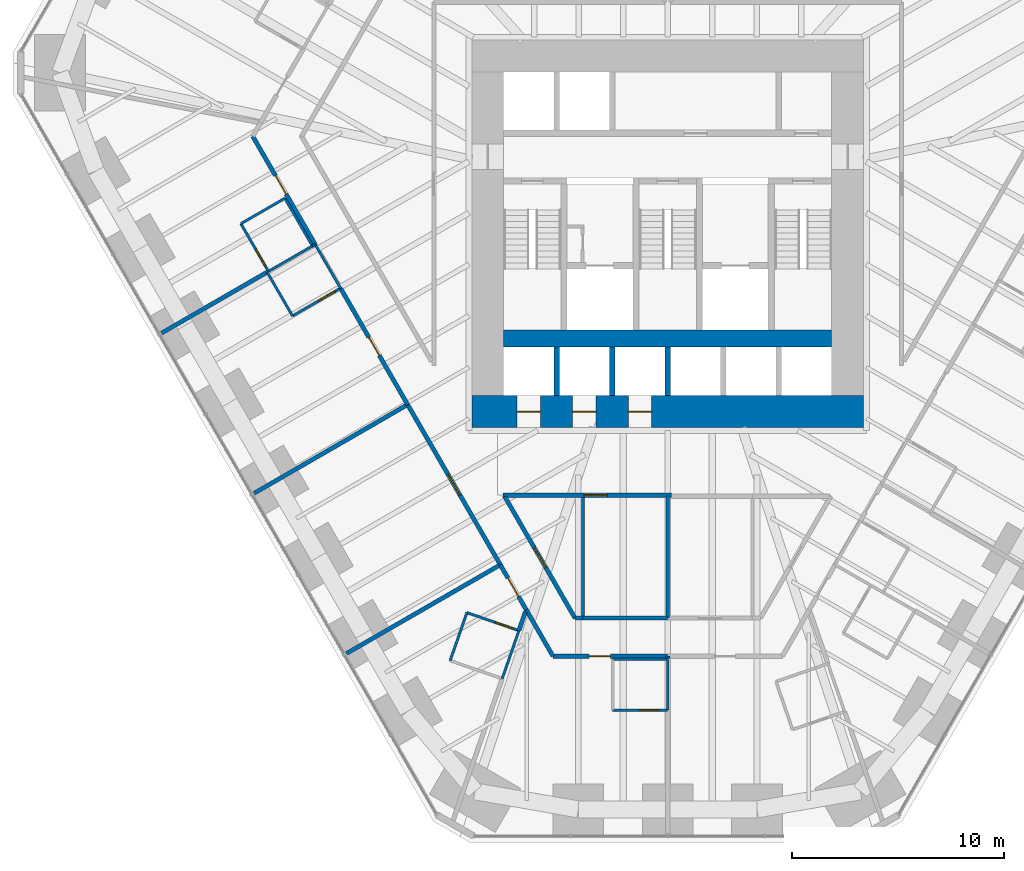
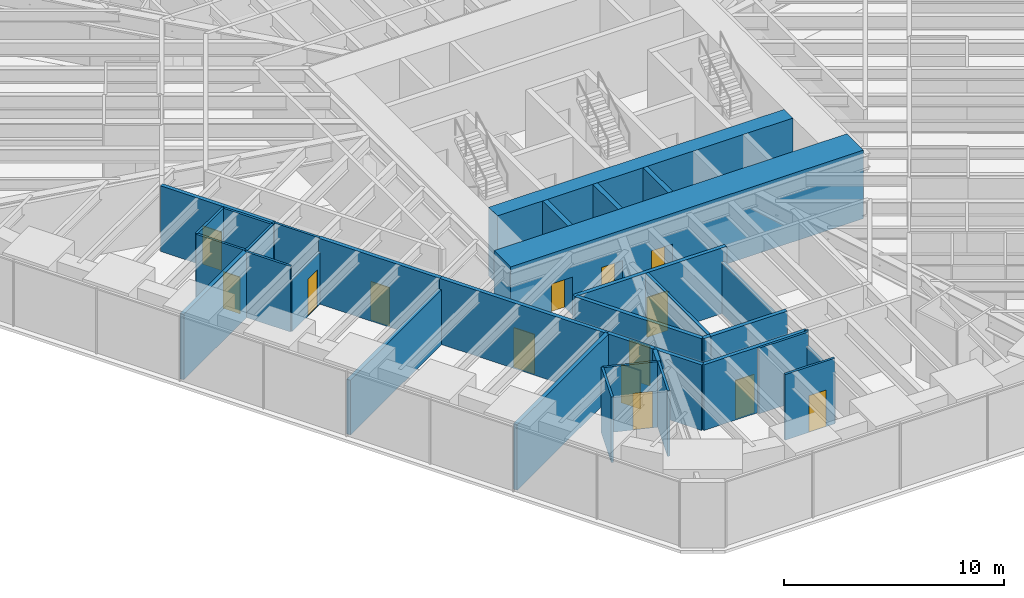
# One storey, part 11 of 17: 36 walls, 14 doors, 14 openings.
"""IFC4 building model written with IfcOpenShell, lengths in metres."""

from ifc_helpers import new_model, si_unit, direction, frame, frame_2d, origin, place, context, subcontext, project, spatial, rectangle, extrude, material, layer, layer_set, type_object, element, fill, save


model = new_model("IFC4")

# Units and contexts
model_context = context("Model", 3, precision=1e-05, world=origin(), true_north=direction((0.0, 1.0)))
body_context = subcontext(model_context, "Body", "Model", "MODEL_VIEW")
ifc_project = project(units=[si_unit("LENGTHUNIT", "METRE"), si_unit("AREAUNIT", "SQUARE_METRE"), si_unit("VOLUMEUNIT", "CUBIC_METRE"), si_unit("PLANEANGLEUNIT", "RADIAN"), si_unit("MASSUNIT", "GRAM", prefix="KILO")], contexts=[model_context])

# Site, building, storey
site_placement = place(None, origin())
site = spatial("IfcSite", under=ifc_project, at=site_placement, CompositionType="ELEMENT")
building_placement = place(site_placement, origin())
building = spatial("IfcBuilding", under=site, at=building_placement, Name="Sandreach Pilgrim Tower", CompositionType="ELEMENT")
storey_placement = place(building_placement, frame((0.0, 0.0, 34.39990234375)))
storey = spatial("IfcBuildingStorey", under=building, at=storey_placement, Name="L07", CompositionType="ELEMENT", Elevation=34.39990234375)

# Walls
ifc_material_1 = material(Name="Gypsum board on steel studs", Category="steel")
ifc_layer_1 = layer(ifc_material_1, 0.14990234375)
ifc_layer_set_1 = layer_set([ifc_layer_1], Name="Back of house wall 150")
wall_type_1 = type_object("IfcWallType", Name="Back of house wall 150", PredefinedType="PARTITIONING", material=ifc_layer_set_1)
wall_1_placement = place(storey_placement, frame((-4.0, -14.0, 0.0), z_axis=(0.0, 0.0, 1.0), x_axis=(0.0, -1.0, 0.0)))
element("IfcWall", 1, at=wall_1_placement, inside=storey, type_object=wall_type_1, Name="Back of house wall L07-054", PredefinedType="PARTITIONING", context=body_context, shape_type="SweptSolid", body=[
    extrude(rectangle(XDim=5.7099609375, YDim=0.14990234375, at=frame_2d((2.85498046875, 0.0))), origin(), (0.0, 0.0, 1.0), 3.64013671875),
])
wall_2_placement = place(storey_placement, frame((0.0, -13.949951171875, 0.0), z_axis=(0.0, 0.0, 1.0), x_axis=(0.0, -1.0, 0.0)))
element("IfcWall", 2, at=wall_2_placement, inside=storey, type_object=wall_type_1, Name="Back of house wall L07-069", PredefinedType="PARTITIONING", context=body_context, shape_type="SweptSolid", body=[
    extrude(rectangle(XDim=5.760009765625, YDim=0.14990234375, at=frame_2d((2.8798828125, 0.0))), origin(), (0.0, 0.0, 1.0), 2.8603515625),
])

# Wall, opening, door
ifc_material_2 = material(Name="Moisture-resistant gypsum board on steel studs", Category="steel")
ifc_layer_2 = layer(ifc_material_2, 0.1201171875)
ifc_layer_set_2 = layer_set([ifc_layer_2], Name="Bathroom partition 120")
wall_type_2 = type_object("IfcWallType", Name="Bathroom partition 120", PredefinedType="PARTITIONING", material=ifc_layer_set_2)
wall_3_placement = place(storey_placement, frame((-20.169921875, -1.070068359375, 0.0), z_axis=(0.0, 0.0, 1.0), x_axis=(0.500291685314, -0.865856933682, 0.0)))
wall_3 = element("IfcWall", 3, at=wall_3_placement, inside=storey, type_object=wall_type_2, Name="Bathroom partition L07-005", PredefinedType="PARTITIONING", context=body_context, shape_type="SweptSolid", body=[
    extrude(rectangle(XDim=2.5986328125, YDim=0.1201171875, at=frame_2d((1.29931640625, 0.0))), origin(), (0.0, 0.0, 1.0), 3.64013671875),
])
opening_1_placement = place(wall_3_placement, frame((1.398681640625, 0.0, 0.0)))
opening_1 = element("IfcOpeningElement", 4, at=opening_1_placement, cuts=wall_3, Name="Opening D09-17B", PredefinedType="OPENING", context=body_context, shape_type="SweptSolid", body=[
    extrude(rectangle(XDim=0.89990234375, YDim=2.030029296875, at=frame_2d((0.449951171875, 1.01513671875))), frame((0.0, 0.06005859375, 0.0), z_axis=(0.0, -1.0, 0.0), x_axis=(1.0, 0.0, 0.0)), (0.0, 0.0, 1.0), 0.1201171875),
])
ifc_material_3 = material(Name="Timber door, steel frame", Category="steel")
door_type_1 = type_object("IfcDoorType", Name="Bathroom door", OperationType="SINGLE_SWING_LEFT", PredefinedType="DOOR", material=ifc_material_3)
door_1_placement = place(opening_1_placement, origin())
door_1 = element("IfcDoor", 5, at=door_1_placement, inside=storey, type_object=door_type_1, Name="Door 0717B", OperationType="SINGLE_SWING_RIGHT", OverallHeight=2.030029296875, OverallWidth=0.89990234375, PredefinedType="DOOR", context=body_context, shape_type="SweptSolid", body=[
    extrude(rectangle(XDim=0.89990234375, YDim=2.030029296875, at=frame_2d((0.449951171875, 1.01513671875))), frame((0.0, 0.02490234375, 0.0), z_axis=(0.0, -1.0, 0.0), x_axis=(1.0, 0.0, 0.0)), (0.0, 0.0, 1.0), 0.050048828125),
])
fill(opening_1, door_1)

# Walls
wall_4_placement = place(storey_placement, frame((-18.929931640625, -3.360107421875, 0.0), z_axis=(0.0, 0.0, 1.0), x_axis=(0.501547039172, -0.865130376012, 0.0)))
element("IfcWall", 6, at=wall_4_placement, inside=storey, type_object=wall_type_2, Name="Bathroom partition L07-011", PredefinedType="PARTITIONING", context=body_context, shape_type="SweptSolid", body=[
    extrude(rectangle(XDim=2.392578125, YDim=0.1201171875, at=frame_2d((1.1962890625, 0.0))), origin(), (0.0, 0.0, 1.0), 3.64013671875),
])
wall_5_placement = place(storey_placement, frame((-18.86767578125, -3.323974609375, 0.0), z_axis=(0.0, 0.0, 1.0), x_axis=(0.866133109688, 0.499813401482, 0.0)))
element("IfcWall", 7, at=wall_5_placement, inside=storey, type_object=wall_type_2, Name="Bathroom partition L07-012", PredefinedType="PARTITIONING", context=body_context, shape_type="SweptSolid", body=[
    extrude(rectangle(XDim=2.4013671875, YDim=0.1201171875, at=frame_2d((1.20068359375, 0.0))), origin(), (0.0, 0.0, 1.0), 3.64013671875),
])
wall_6_placement = place(storey_placement, frame((-18.090087890625, 0.1298828125, 0.0), z_axis=(0.0, 0.0, 1.0), x_axis=(-0.866177122335, -0.499737123639, 0.0)))
element("IfcWall", 8, at=wall_6_placement, inside=storey, type_object=wall_type_2, Name="Bathroom partition L07-015", PredefinedType="PARTITIONING", context=body_context, shape_type="SweptSolid", body=[
    extrude(rectangle(XDim=2.401123046875, YDim=0.1201171875, at=frame_2d((1.20068359375, 0.0))), origin(), (0.0, 0.0, 1.0), 3.64013671875),
])

# Wall, opening, door
wall_7_placement = place(storey_placement, frame((-17.72998046875, -5.429931640625, 0.0), z_axis=(0.0, 0.0, 1.0), x_axis=(0.866114241029, 0.499846097802, 0.0)))
wall_7 = element("IfcWall", 9, at=wall_7_placement, inside=storey, type_object=wall_type_2, Name="Bathroom partition L07-016", PredefinedType="PARTITIONING", context=body_context, shape_type="SweptSolid", body=[
    extrude(rectangle(XDim=2.620849609375, YDim=0.1201171875, at=frame_2d((1.310546875, 0.0))), origin(), (0.0, 0.0, 1.0), 2.878173828125),
])
opening_2_placement = place(wall_7_placement, frame((1.4208984375, 0.0, 0.0)))
opening_2 = element("IfcOpeningElement", 10, at=opening_2_placement, cuts=wall_7, Name="Opening D09-16B", PredefinedType="OPENING", context=body_context, shape_type="SweptSolid", body=[
    extrude(rectangle(XDim=0.89990234375, YDim=2.030029296875, at=frame_2d((0.449951171875, 1.01513671875))), frame((0.0, 0.06005859375, 0.0), z_axis=(0.0, -1.0, 0.0), x_axis=(1.0, 0.0, 0.0)), (0.0, 0.0, 1.0), 0.1201171875),
])
door_2_placement = place(opening_2_placement, origin())
door_2 = element("IfcDoor", 11, at=door_2_placement, inside=storey, type_object=door_type_1, Name="Door 0716B", OperationType="SINGLE_SWING_RIGHT", OverallHeight=2.030029296875, OverallWidth=0.89990234375, PredefinedType="DOOR", context=body_context, shape_type="SweptSolid", body=[
    extrude(rectangle(XDim=0.89990234375, YDim=2.030029296875, at=frame_2d((0.449951171875, 1.01513671875))), frame((0.0, 0.02490234375, 0.0), z_axis=(0.0, -1.0, 0.0), x_axis=(1.0, 0.0, 0.0)), (0.0, 0.0, 1.0), 0.050048828125),
])
fill(opening_2, door_2)

# Walls
wall_8_placement = place(storey_placement, frame((-16.7900390625, -2.1201171875, 0.0), z_axis=(0.0, 0.0, 1.0), x_axis=(-0.50025099007, 0.865880446098, 0.0)))
element("IfcWall", 12, at=wall_8_placement, inside=storey, type_object=wall_type_2, Name="Bathroom partition L07-020", PredefinedType="PARTITIONING", context=body_context, shape_type="SweptSolid", body=[
    extrude(rectangle(XDim=2.598876953125, YDim=0.1201171875, at=frame_2d((1.29931640625, 0.0))), origin(), (0.0, 0.0, 1.0), 3.64013671875),
])
wall_9_placement = place(storey_placement, frame((-16.787841796875, -2.123779296875, 0.0), z_axis=(0.0, 0.0, 1.0), x_axis=(0.866405716731, 0.499340699338, 0.0)))
element("IfcWall", 13, at=wall_9_placement, inside=storey, type_object=wall_type_2, Name="Bathroom partition L07-021", PredefinedType="PARTITIONING", context=body_context, shape_type="SweptSolid", body=[
    extrude(rectangle(XDim=0.147705078125, YDim=0.1201171875, at=frame_2d((0.07373046875, 0.0))), origin(), (0.0, 0.0, 1.0), 3.64013671875),
])
wall_10_placement = place(storey_placement, frame((-16.659912109375, -2.050048828125, 0.0), z_axis=(0.0, 0.0, 1.0), x_axis=(0.501502765098, -0.865156041763, 0.0)))
element("IfcWall", 14, at=wall_10_placement, inside=storey, type_object=wall_type_2, Name="Bathroom partition L07-022", PredefinedType="PARTITIONING", context=body_context, shape_type="SweptSolid", body=[
    extrude(rectangle(XDim=2.392822265625, YDim=0.1201171875, at=frame_2d((1.1962890625, 0.0))), origin(), (0.0, 0.0, 1.0), 3.64013671875),
])
for number, where, z_axis, x_axis, name in (
    (15, (-9.489990234375, -19.449951171875, 0.0), (0.0, 0.0, 1.0), (-0.328693963496, -0.944436487203, 0.0), "Bathroom partition L07-043"),
    (16, (-7.820068359375, -22.570068359375, 0.0), (0.0, 0.0, 1.0), (0.328693963496, 0.944436487203, 0.0), "Bathroom partition L07-045"),
):
    element("IfcWall", number, at=place(storey_placement, frame(where, z_axis=z_axis, x_axis=x_axis)), inside=storey, type_object=wall_type_2, Name=name, PredefinedType="PARTITIONING", context=body_context, shape_type="SweptSolid", body=[
        extrude(rectangle(XDim=2.403564453125, YDim=0.1201171875, at=frame_2d((1.20166015625, 0.0))), origin(), (0.0, 0.0, 1.0), 3.64013671875),
    ])

# Wall, opening, door
wall_11_placement = place(storey_placement, frame((-7.030029296875, -20.300048828125, 0.0), z_axis=(0.0, 0.0, 1.0), x_axis=(-0.94515546045, 0.326620813149, 0.0)))
wall_11 = element("IfcWall", 17, at=wall_11_placement, inside=storey, type_object=wall_type_2, Name="Bathroom partition L07-046", PredefinedType="PARTITIONING", context=body_context, shape_type="SweptSolid", body=[
    extrude(rectangle(XDim=2.602783203125, YDim=0.1201171875, at=frame_2d((1.30126953125, 0.0))), origin(), (0.0, 0.0, 1.0), 3.64013671875),
])
opening_3_placement = place(wall_11_placement, frame((0.300048828125, 0.0, 0.0)))
opening_3 = element("IfcOpeningElement", 18, at=opening_3_placement, cuts=wall_11, Name="Opening D09-14B", PredefinedType="OPENING", context=body_context, shape_type="SweptSolid", body=[
    extrude(rectangle(XDim=0.89990234375, YDim=2.030029296875, at=frame_2d((0.449951171875, 1.01513671875))), frame((0.0, 0.06005859375, 0.0), z_axis=(0.0, -1.0, 0.0), x_axis=(1.0, 0.0, 0.0)), (0.0, 0.0, 1.0), 0.1201171875),
])
door_3_placement = place(opening_3_placement, origin())
door_3 = element("IfcDoor", 19, at=door_3_placement, inside=storey, type_object=door_type_1, Name="Door 0714B", OperationType="SINGLE_SWING_LEFT", OverallHeight=2.030029296875, OverallWidth=0.89990234375, PredefinedType="DOOR", context=body_context, shape_type="SweptSolid", body=[
    extrude(rectangle(XDim=0.89990234375, YDim=2.030029296875, at=frame_2d((0.449951171875, 1.01513671875))), frame((0.0, 0.02490234375, 0.0), z_axis=(0.0, -1.0, 0.0), x_axis=(1.0, 0.0, 0.0)), (0.0, 0.0, 1.0), 0.050048828125),
])
fill(opening_3, door_3)

wall_12_placement = place(storey_placement, frame((-2.60009765625, -24.06005859375, 0.0), z_axis=(0.0, 0.0, 1.0), x_axis=(1.0, 0.0, 0.0)))
wall_12 = element("IfcWall", 20, at=wall_12_placement, inside=storey, type_object=wall_type_2, Name="Bathroom partition L07-055", PredefinedType="PARTITIONING", context=body_context, shape_type="SweptSolid", body=[
    extrude(rectangle(XDim=2.60009765625, YDim=0.1201171875, at=frame_2d((1.300048828125, 0.0))), origin(), (0.0, 0.0, 1.0), 3.64013671875),
])
opening_4_placement = place(wall_12_placement, frame((1.25, 0.0, 0.0)))
opening_4 = element("IfcOpeningElement", 21, at=opening_4_placement, cuts=wall_12, Name="Opening D09-13B", PredefinedType="OPENING", context=body_context, shape_type="SweptSolid", body=[
    extrude(rectangle(XDim=0.89990234375, YDim=2.030029296875, at=frame_2d((0.449951171875, 1.01513671875))), frame((0.0, 0.06005859375, 0.0), z_axis=(0.0, -1.0, 0.0), x_axis=(1.0, 0.0, 0.0)), (0.0, 0.0, 1.0), 0.1201171875),
])
door_4_placement = place(opening_4_placement, origin())
door_4 = element("IfcDoor", 22, at=door_4_placement, inside=storey, type_object=door_type_1, Name="Door 0713B", OperationType="SINGLE_SWING_RIGHT", OverallHeight=2.030029296875, OverallWidth=0.89990234375, PredefinedType="DOOR", context=body_context, shape_type="SweptSolid", body=[
    extrude(rectangle(XDim=0.89990234375, YDim=2.030029296875, at=frame_2d((0.449951171875, 1.01513671875))), frame((0.0, 0.02490234375, 0.0), z_axis=(0.0, -1.0, 0.0), x_axis=(1.0, 0.0, 0.0)), (0.0, 0.0, 1.0), 0.050048828125),
])
fill(opening_4, door_4)

# Walls
wall_13_placement = place(storey_placement, frame((0.0, -24.06005859375, 0.0), z_axis=(0.0, 0.0, 1.0), x_axis=(0.0, 1.0, 0.0)))
element("IfcWall", 23, at=wall_13_placement, inside=storey, type_object=wall_type_2, Name="Bathroom partition L07-064", PredefinedType="PARTITIONING", context=body_context, shape_type="SweptSolid", body=[
    extrude(rectangle(XDim=2.400146484375, YDim=0.1201171875, at=frame_2d((1.2001953125, 0.0))), origin(), (0.0, 0.0, 1.0), 2.8603515625),
])
wall_14_placement = place(storey_placement, frame((0.0, -21.659912109375, 0.0), z_axis=(0.0, 0.0, 1.0), x_axis=(-1.0, 0.0, 0.0)))
element("IfcWall", 24, at=wall_14_placement, inside=storey, type_object=wall_type_2, Name="Bathroom partition L07-065", PredefinedType="PARTITIONING", context=body_context, shape_type="SweptSolid", body=[
    extrude(rectangle(XDim=2.60009765625, YDim=0.1201171875, at=frame_2d((1.300048828125, 0.0))), origin(), (0.0, 0.0, 1.0), 3.64013671875),
])
ifc_material_4 = material(Name="Concrete 10000 psi", Category="concrete")
ifc_layer_3 = layer(ifc_material_4, 0.800048828125)
ifc_layer_set_3 = layer_set([ifc_layer_3], Name="Core mid wall 800")
wall_type_3 = type_object("IfcWallType", Name="Core mid wall 800", PredefinedType="SHEAR", material=ifc_layer_set_3)
wall_15_placement = place(storey_placement, frame((-7.75, -6.5, 0.0), z_axis=(0.0, 0.0, 1.0), x_axis=(1.0, 0.0, 0.0)))
element("IfcWall", 25, at=wall_15_placement, inside=storey, type_object=wall_type_3, Name="Core wall M L07", PredefinedType="SHEAR", context=body_context, shape_type="SweptSolid", body=[
    extrude(rectangle(XDim=15.5, YDim=0.800048828125, at=frame_2d((7.75, 0.0))), origin(), (0.0, 0.0, 1.0), 3.800048828125),
])

# Wall, openings, doors
ifc_material_5 = material(Name="Concrete 10000 psi", Category="concrete")
ifc_layer_4 = layer(ifc_material_5, 1.5)
ifc_layer_set_4 = layer_set([ifc_layer_4], Name="Core wall 1500")
wall_type_4 = type_object("IfcWallType", Name="Core wall 1500", PredefinedType="SHEAR", material=ifc_layer_set_4)
wall_16_placement = place(storey_placement, frame((-9.25, -9.949951171875, 0.0), z_axis=(0.0, 0.0, 1.0), x_axis=(1.0, 0.0, 0.0)))
wall_16 = element("IfcWall", 26, at=wall_16_placement, inside=storey, type_object=wall_type_4, Name="Core wall S L07", PredefinedType="SHEAR", context=body_context, shape_type="SweptSolid", body=[
    extrude(rectangle(XDim=18.5, YDim=1.5, at=frame_2d((9.25, 0.0))), origin(), (0.0, 0.0, 1.0), 3.800048828125),
])
opening_5_placement = place(wall_16_placement, frame((2.137451171875, 0.0, 0.0)))
opening_5 = element("IfcOpeningElement", 27, at=opening_5_placement, cuts=wall_16, Name="Opening LD11", PredefinedType="OPENING", context=body_context, shape_type="SweptSolid", body=[
    extrude(rectangle(XDim=1.10009765625, YDim=2.10009765625, at=frame_2d((0.550048828125, 1.050048828125))), frame((0.0, 0.75, 0.0), z_axis=(0.0, -1.0, 0.0), x_axis=(1.0, 0.0, 0.0)), (0.0, 0.0, 1.0), 1.5),
])
opening_6_placement = place(wall_16_placement, frame((4.762451171875, 0.0, 0.0)))
opening_6 = element("IfcOpeningElement", 28, at=opening_6_placement, cuts=wall_16, Name="Opening LD11", PredefinedType="OPENING", context=body_context, shape_type="SweptSolid", body=[
    extrude(rectangle(XDim=1.10009765625, YDim=2.10009765625, at=frame_2d((0.550048828125, 1.050048828125))), frame((0.0, 0.75, 0.0), z_axis=(0.0, -1.0, 0.0), x_axis=(1.0, 0.0, 0.0)), (0.0, 0.0, 1.0), 1.5),
])
opening_7_placement = place(wall_16_placement, frame((7.387451171875, 0.0, 0.0)))
opening_7 = element("IfcOpeningElement", 29, at=opening_7_placement, cuts=wall_16, Name="Opening LD11", PredefinedType="OPENING", context=body_context, shape_type="SweptSolid", body=[
    extrude(rectangle(XDim=1.10009765625, YDim=2.10009765625, at=frame_2d((0.550048828125, 1.050048828125))), frame((0.0, 0.75, 0.0), z_axis=(0.0, -1.0, 0.0), x_axis=(1.0, 0.0, 0.0)), (0.0, 0.0, 1.0), 1.5),
])
ifc_material_6 = material(Name="Steel door and frame", Category="steel")
door_type_2 = type_object("IfcDoorType", Name="Lift landing door", OperationType="DOUBLE_DOOR_SLIDING", PredefinedType="DOOR", material=ifc_material_6)
door_5_placement = place(opening_5_placement, origin())
door_5 = element("IfcDoor", 30, at=door_5_placement, inside=storey, type_object=door_type_2, Name="Lift landing door Z1A L07", OperationType="DOUBLE_DOOR_SLIDING", OverallHeight=2.10009765625, OverallWidth=1.10009765625, PredefinedType="DOOR", context=body_context, shape_type="SweptSolid", body=[
    extrude(rectangle(XDim=1.10009765625, YDim=2.10009765625, at=frame_2d((0.550048828125, 1.050048828125))), frame((0.0, 0.02490234375, 0.0), z_axis=(0.0, -1.0, 0.0), x_axis=(1.0, 0.0, 0.0)), (0.0, 0.0, 1.0), 0.050048828125),
])
fill(opening_5, door_5)
door_6_placement = place(opening_6_placement, origin())
door_6 = element("IfcDoor", 31, at=door_6_placement, inside=storey, type_object=door_type_2, Name="Lift landing door Z1B L07", OperationType="DOUBLE_DOOR_SLIDING", OverallHeight=2.10009765625, OverallWidth=1.10009765625, PredefinedType="DOOR", context=body_context, shape_type="SweptSolid", body=[
    extrude(rectangle(XDim=1.10009765625, YDim=2.10009765625, at=frame_2d((0.550048828125, 1.050048828125))), frame((0.0, 0.02490234375, 0.0), z_axis=(0.0, -1.0, 0.0), x_axis=(1.0, 0.0, 0.0)), (0.0, 0.0, 1.0), 0.050048828125),
])
fill(opening_6, door_6)
door_7_placement = place(opening_7_placement, origin())
door_7 = element("IfcDoor", 32, at=door_7_placement, inside=storey, type_object=door_type_2, Name="Lift landing door Z1C L07", OperationType="DOUBLE_DOOR_SLIDING", OverallHeight=2.10009765625, OverallWidth=1.10009765625, PredefinedType="DOOR", context=body_context, shape_type="SweptSolid", body=[
    extrude(rectangle(XDim=1.10009765625, YDim=2.10009765625, at=frame_2d((0.550048828125, 1.050048828125))), frame((0.0, 0.02490234375, 0.0), z_axis=(0.0, -1.0, 0.0), x_axis=(1.0, 0.0, 0.0)), (0.0, 0.0, 1.0), 0.050048828125),
])
fill(opening_7, door_7)

# Wall, opening, door
ifc_material_7 = material(Name="Gypsum board on steel studs, two layers each side", Category="steel")
ifc_layer_5 = layer(ifc_material_7, 0.199951171875)
ifc_layer_set_5 = layer_set([ifc_layer_5], Name="Corridor wall 200")
wall_type_5 = type_object("IfcWallType", Name="Corridor wall 200", PredefinedType="PARTITIONING", material=ifc_layer_set_5)
wall_17_placement = place(storey_placement, frame((-19.610107421875, 3.06005859375, 0.0), z_axis=(0.0, 0.0, 1.0), x_axis=(0.499983910424, -0.866034692906, 0.0)))
wall_17 = element("IfcWall", 33, at=wall_17_placement, inside=storey, type_object=wall_type_5, Name="Corridor wall L07-007", PredefinedType="PARTITIONING", context=body_context, shape_type="SweptSolid", body=[
    extrude(rectangle(XDim=5.900634765625, YDim=0.199951171875, at=frame_2d((2.9501953125, 0.0))), origin(), (0.0, 0.0, 1.0), 3.64013671875),
])
opening_8_placement = place(wall_17_placement, frame((2.14990234375, 0.0, 0.0)))
opening_8 = element("IfcOpeningElement", 34, at=opening_8_placement, cuts=wall_17, Name="Opening D10-17", PredefinedType="OPENING", context=body_context, shape_type="SweptSolid", body=[
    extrude(rectangle(XDim=1.0, YDim=2.1298828125, at=frame_2d((0.5, 1.06494140625))), frame((0.0, 0.10009765625, 0.0), z_axis=(0.0, -1.0, 0.0), x_axis=(1.0, 0.0, 0.0)), (0.0, 0.0, 1.0), 0.199951171875),
])
ifc_material_8 = material(Name="Steel door and frame", Category="steel")
door_type_3 = type_object("IfcDoorType", Name="Guest room entry door", OperationType="SINGLE_SWING_LEFT", PredefinedType="DOOR", material=ifc_material_8)
door_8_placement = place(opening_8_placement, origin())
door_8 = element("IfcDoor", 35, at=door_8_placement, inside=storey, type_object=door_type_3, Name="Door 0717", OperationType="SINGLE_SWING_LEFT", OverallHeight=2.1298828125, OverallWidth=1.0, PredefinedType="DOOR", context=body_context, shape_type="SweptSolid", body=[
    extrude(rectangle(XDim=1.0, YDim=2.1298828125, at=frame_2d((0.5, 1.06494140625))), frame((0.0, 0.02490234375, 0.0), z_axis=(0.0, -1.0, 0.0), x_axis=(1.0, 0.0, 0.0)), (0.0, 0.0, 1.0), 0.050048828125),
])
fill(opening_8, door_8)

wall_18_placement = place(storey_placement, frame((-15.4599609375, -4.1201171875, 0.0), z_axis=(0.0, 0.0, 1.0), x_axis=(0.499349514416, -0.866400636226, 0.0)))
wall_18 = element("IfcWall", 36, at=wall_18_placement, inside=storey, type_object=wall_type_5, Name="Corridor wall L07-026", PredefinedType="PARTITIONING", context=body_context, shape_type="SweptSolid", body=[
    extrude(rectangle(XDim=6.34814453125, YDim=0.199951171875, at=frame_2d((3.174072265625, 0.0))), origin(), (0.0, 0.0, 1.0), 3.64013671875),
])
opening_9_placement = place(wall_18_placement, frame((2.674072265625, 0.0, 0.0)))
opening_9 = element("IfcOpeningElement", 37, at=opening_9_placement, cuts=wall_18, Name="Opening D10-16", PredefinedType="OPENING", context=body_context, shape_type="SweptSolid", body=[
    extrude(rectangle(XDim=1.0, YDim=2.1298828125, at=frame_2d((0.5, 1.06494140625))), frame((0.0, 0.10009765625, 0.0), z_axis=(0.0, -1.0, 0.0), x_axis=(1.0, 0.0, 0.0)), (0.0, 0.0, 1.0), 0.199951171875),
])
door_9_placement = place(opening_9_placement, origin())
door_9 = element("IfcDoor", 38, at=door_9_placement, inside=storey, type_object=door_type_3, Name="Door 0716", OperationType="SINGLE_SWING_LEFT", OverallHeight=2.1298828125, OverallWidth=1.0, PredefinedType="DOOR", context=body_context, shape_type="SweptSolid", body=[
    extrude(rectangle(XDim=1.0, YDim=2.1298828125, at=frame_2d((0.5, 1.06494140625))), frame((0.0, 0.02490234375, 0.0), z_axis=(0.0, -1.0, 0.0), x_axis=(1.0, 0.0, 0.0)), (0.0, 0.0, 1.0), 0.050048828125),
])
fill(opening_9, door_9)

wall_19_placement = place(storey_placement, frame((-12.2900390625, -9.6201171875, 0.0), z_axis=(0.0, 0.0, 1.0), x_axis=(0.500830481537, -0.86554539382, 0.0)))
wall_19 = element("IfcWall", 39, at=wall_19_placement, inside=storey, type_object=wall_type_5, Name="Corridor wall L07-034", PredefinedType="PARTITIONING", context=body_context, shape_type="SweptSolid", body=[
    extrude(rectangle(XDim=8.745849609375, YDim=0.199951171875, at=frame_2d((4.373046875, 0.0))), origin(), (0.0, 0.0, 1.0), 3.64013671875),
])
opening_10_placement = place(wall_19_placement, frame((3.822998046875, 0.0, 0.0)))
opening_10 = element("IfcOpeningElement", 40, at=opening_10_placement, cuts=wall_19, Name="Opening D11H-15", PredefinedType="OPENING", context=body_context, shape_type="SweptSolid", body=[
    extrude(rectangle(XDim=1.10009765625, YDim=2.199951171875, at=frame_2d((0.550048828125, 1.10009765625))), frame((0.0, 0.10009765625, 0.0), z_axis=(0.0, -1.0, 0.0), x_axis=(1.0, 0.0, 0.0)), (0.0, 0.0, 1.0), 0.199951171875),
])
ifc_material_9 = material(Name="Steel door and frame", Category="steel")
door_type_4 = type_object("IfcDoorType", Name="Back of house door", OperationType="SINGLE_SWING_LEFT", PredefinedType="DOOR", material=ifc_material_9)
door_10_placement = place(opening_10_placement, origin())
door_10 = element("IfcDoor", 41, at=door_10_placement, inside=storey, type_object=door_type_4, Name="Door 0715", OperationType="SINGLE_SWING_LEFT", OverallHeight=2.199951171875, OverallWidth=1.10009765625, PredefinedType="DOOR", context=body_context, shape_type="SweptSolid", body=[
    extrude(rectangle(XDim=1.10009765625, YDim=2.199951171875, at=frame_2d((0.550048828125, 1.10009765625))), frame((0.0, 0.02490234375, 0.0), z_axis=(0.0, -1.0, 0.0), x_axis=(1.0, 0.0, 0.0)), (0.0, 0.0, 1.0), 0.050048828125),
])
fill(opening_10, door_10)

wall_20_placement = place(storey_placement, frame((-7.909912109375, -17.18994140625, 0.0), z_axis=(0.0, 0.0, 1.0), x_axis=(0.498748634132, -0.866746675766, 0.0)))
wall_20 = element("IfcWall", 42, at=wall_20_placement, inside=storey, type_object=wall_type_5, Name="Corridor wall L07-044", PredefinedType="PARTITIONING", context=body_context, shape_type="SweptSolid", body=[
    extrude(rectangle(XDim=2.446044921875, YDim=0.199951171875, at=frame_2d((1.22314453125, 0.0))), origin(), (0.0, 0.0, 1.0), 3.64013671875),
])
opening_11_placement = place(wall_20_placement, frame((0.722900390625, 0.0, 0.0)))
opening_11 = element("IfcOpeningElement", 43, at=opening_11_placement, cuts=wall_20, Name="Opening D10-14", PredefinedType="OPENING", context=body_context, shape_type="SweptSolid", body=[
    extrude(rectangle(XDim=1.0, YDim=2.1298828125, at=frame_2d((0.5, 1.06494140625))), frame((0.0, 0.10009765625, 0.0), z_axis=(0.0, -1.0, 0.0), x_axis=(1.0, 0.0, 0.0)), (0.0, 0.0, 1.0), 0.199951171875),
])
door_11_placement = place(opening_11_placement, origin())
door_11 = element("IfcDoor", 44, at=door_11_placement, inside=storey, type_object=door_type_3, Name="Door 0714", OperationType="SINGLE_SWING_LEFT", OverallHeight=2.1298828125, OverallWidth=1.0, PredefinedType="DOOR", context=body_context, shape_type="SweptSolid", body=[
    extrude(rectangle(XDim=1.0, YDim=2.1298828125, at=frame_2d((0.5, 1.06494140625))), frame((0.0, 0.02490234375, 0.0), z_axis=(0.0, -1.0, 0.0), x_axis=(1.0, 0.0, 0.0)), (0.0, 0.0, 1.0), 0.050048828125),
])
fill(opening_11, door_11)

# Wall
wall_21_placement = place(storey_placement, frame((-6.68994140625, -19.31005859375, 0.0), z_axis=(0.0, 0.0, 1.0), x_axis=(0.499963722229, -0.866046347752, 0.0)))
element("IfcWall", 45, at=wall_21_placement, inside=storey, type_object=wall_type_5, Name="Corridor wall L07-048", PredefinedType="PARTITIONING", context=body_context, shape_type="SweptSolid", body=[
    extrude(rectangle(XDim=2.540283203125, YDim=0.199951171875, at=frame_2d((1.27001953125, 0.0))), origin(), (0.0, 0.0, 1.0), 3.64013671875),
])

# Wall, opening, door
wall_22_placement = place(storey_placement, frame((-5.419921875, -21.510009765625, 0.0), z_axis=(0.0, 0.0, 1.0), x_axis=(1.0, 0.0, 0.0)))
wall_22 = element("IfcWall", 46, at=wall_22_placement, inside=storey, type_object=wall_type_5, Name="Corridor wall L07-049", PredefinedType="PARTITIONING", context=body_context, shape_type="SweptSolid", body=[
    extrude(rectangle(XDim=5.419921875, YDim=0.199951171875, at=frame_2d((2.7099609375, 0.0))), origin(), (0.0, 0.0, 1.0), 3.64013671875),
])
opening_12_placement = place(wall_22_placement, frame((1.7099609375, 0.0, 0.0)))
opening_12 = element("IfcOpeningElement", 47, at=opening_12_placement, cuts=wall_22, Name="Opening D10-13", PredefinedType="OPENING", context=body_context, shape_type="SweptSolid", body=[
    extrude(rectangle(XDim=1.0, YDim=2.1298828125, at=frame_2d((0.5, 1.06494140625))), frame((0.0, 0.10009765625, 0.0), z_axis=(0.0, -1.0, 0.0), x_axis=(1.0, 0.0, 0.0)), (0.0, 0.0, 1.0), 0.199951171875),
])
door_12_placement = place(opening_12_placement, origin())
door_12 = element("IfcDoor", 48, at=door_12_placement, inside=storey, type_object=door_type_3, Name="Door 0713", OperationType="SINGLE_SWING_LEFT", OverallHeight=2.1298828125, OverallWidth=1.0, PredefinedType="DOOR", context=body_context, shape_type="SweptSolid", body=[
    extrude(rectangle(XDim=1.0, YDim=2.1298828125, at=frame_2d((0.5, 1.06494140625))), frame((0.0, 0.02490234375, 0.0), z_axis=(0.0, -1.0, 0.0), x_axis=(1.0, 0.0, 0.0)), (0.0, 0.0, 1.0), 0.050048828125),
])
fill(opening_12, door_12)

wall_23_placement = place(storey_placement, frame((-4.3798828125, -19.7099609375, 0.0), z_axis=(0.0, 0.0, 1.0), x_axis=(-0.500523653757, 0.865722860984, 0.0)))
wall_23 = element("IfcWall", 49, at=wall_23_placement, inside=storey, type_object=wall_type_5, Name="Corridor wall L07-052", PredefinedType="PARTITIONING", context=body_context, shape_type="SweptSolid", body=[
    extrude(rectangle(XDim=6.62841796875, YDim=0.199951171875, at=frame_2d((3.314208984375, 0.0))), origin(), (0.0, 0.0, 1.0), 3.64013671875),
])
opening_13_placement = place(wall_23_placement, frame((2.76416015625, 0.0, 0.0)))
opening_13 = element("IfcOpeningElement", 50, at=opening_13_placement, cuts=wall_23, Name="Opening D11H-S1", PredefinedType="OPENING", context=body_context, shape_type="SweptSolid", body=[
    extrude(rectangle(XDim=1.10009765625, YDim=2.199951171875, at=frame_2d((0.550048828125, 1.10009765625))), frame((0.0, 0.10009765625, 0.0), z_axis=(0.0, -1.0, 0.0), x_axis=(1.0, 0.0, 0.0)), (0.0, 0.0, 1.0), 0.199951171875),
])
door_13_placement = place(opening_13_placement, origin())
door_13 = element("IfcDoor", 51, at=door_13_placement, inside=storey, type_object=door_type_4, Name="Door 07S1", OperationType="SINGLE_SWING_LEFT", OverallHeight=2.199951171875, OverallWidth=1.10009765625, PredefinedType="DOOR", context=body_context, shape_type="SweptSolid", body=[
    extrude(rectangle(XDim=1.10009765625, YDim=2.199951171875, at=frame_2d((0.550048828125, 1.10009765625))), frame((0.0, 0.02490234375, 0.0), z_axis=(0.0, -1.0, 0.0), x_axis=(1.0, 0.0, 0.0)), (0.0, 0.0, 1.0), 0.050048828125),
])
fill(opening_13, door_13)

# Walls
wall_24_placement = place(storey_placement, frame((-4.0, -19.7099609375, 0.0), z_axis=(0.0, 0.0, 1.0), x_axis=(-1.0, 0.0, 0.0)))
element("IfcWall", 52, at=wall_24_placement, inside=storey, type_object=wall_type_5, Name="Corridor wall L07-053", PredefinedType="PARTITIONING", context=body_context, shape_type="SweptSolid", body=[
    extrude(rectangle(XDim=0.3798828125, YDim=0.199951171875, at=frame_2d((0.18994140625, 0.0))), origin(), (0.0, 0.0, 1.0), 3.64013671875),
])
wall_25_placement = place(storey_placement, frame((0.0, -19.7099609375, 0.0), z_axis=(0.0, 0.0, 1.0), x_axis=(-1.0, 0.0, 0.0)))
element("IfcWall", 53, at=wall_25_placement, inside=storey, type_object=wall_type_5, Name="Corridor wall L07-068", PredefinedType="PARTITIONING", context=body_context, shape_type="SweptSolid", body=[
    extrude(rectangle(XDim=4.0, YDim=0.199951171875, at=frame_2d((2.0, 0.0))), origin(), (0.0, 0.0, 1.0), 3.64013671875),
])

# Wall, opening, door
wall_26_placement = place(storey_placement, frame((0.179931640625, -13.89990234375, 0.0), z_axis=(0.0, 0.0, 1.0), x_axis=(-1.0, 0.0, 0.0)))
wall_26 = element("IfcWall", 54, at=wall_26_placement, inside=storey, type_object=wall_type_5, Name="Corridor wall L07-073", PredefinedType="PARTITIONING", context=body_context, shape_type="SweptSolid", body=[
    extrude(rectangle(XDim=7.969970703125, YDim=0.199951171875, at=frame_2d((3.98486328125, 0.0))), origin(), (0.0, 0.0, 1.0), 3.64013671875),
])
opening_14_placement = place(wall_26_placement, frame((3.034912109375, 0.0, 0.0)))
opening_14 = element("IfcOpeningElement", 55, at=opening_14_placement, cuts=wall_26, Name="Opening D11H-S2", PredefinedType="OPENING", context=body_context, shape_type="SweptSolid", body=[
    extrude(rectangle(XDim=1.10009765625, YDim=2.199951171875, at=frame_2d((0.550048828125, 1.10009765625))), frame((0.0, 0.10009765625, 0.0), z_axis=(0.0, -1.0, 0.0), x_axis=(1.0, 0.0, 0.0)), (0.0, 0.0, 1.0), 0.199951171875),
])
door_14_placement = place(opening_14_placement, origin())
door_14 = element("IfcDoor", 56, at=door_14_placement, inside=storey, type_object=door_type_4, Name="Door 07S2", OperationType="SINGLE_SWING_LEFT", OverallHeight=2.199951171875, OverallWidth=1.10009765625, PredefinedType="DOOR", context=body_context, shape_type="SweptSolid", body=[
    extrude(rectangle(XDim=1.10009765625, YDim=2.199951171875, at=frame_2d((0.550048828125, 1.10009765625))), frame((0.0, 0.02490234375, 0.0), z_axis=(0.0, -1.0, 0.0), x_axis=(1.0, 0.0, 0.0)), (0.0, 0.0, 1.0), 0.050048828125),
])
fill(opening_14, door_14)

# Walls
ifc_material_10 = material(Name="Double steel stud acoustic wall, gypsum board", Category="steel")
ifc_layer_6 = layer(ifc_material_10, 0.199951171875)
ifc_layer_set_6 = layer_set([ifc_layer_6], Name="Party wall 200")
wall_type_6 = type_object("IfcWallType", Name="Party wall 200", PredefinedType="PARTITIONING", material=ifc_layer_set_6)
wall_27_placement = place(storey_placement, frame((-23.916015625, -6.239990234375, 0.0), z_axis=(0.0, 0.0, 1.0), x_axis=(0.865919350456, 0.50018364478, 0.0)))
element("IfcWall", 57, at=wall_27_placement, inside=storey, type_object=wall_type_6, Name="Party wall L07-003", PredefinedType="PARTITIONING", context=body_context, shape_type="SweptSolid", body=[
    extrude(rectangle(XDim=5.758056640625, YDim=0.199951171875, at=frame_2d((2.87890625, 0.0))), origin(), (0.0, 0.0, 1.0), 3.64013671875),
])
wall_28_placement = place(storey_placement, frame((-19.546142578125, -13.81005859375, 0.0), z_axis=(0.0, 0.0, 1.0), x_axis=(0.86599028666, 0.500060819711, 0.0)))
element("IfcWall", 58, at=wall_28_placement, inside=storey, type_object=wall_type_6, Name="Party wall L07-008", PredefinedType="PARTITIONING", context=body_context, shape_type="SweptSolid", body=[
    extrude(rectangle(XDim=8.369140625, YDim=0.199951171875, at=frame_2d((4.1845703125, 0.0))), origin(), (0.0, 0.0, 1.0), 3.0380859375),
])
wall_29_placement = place(storey_placement, frame((-15.176025390625, -21.380126953125, 0.0), z_axis=(0.0, 0.0, 1.0), x_axis=(0.866276837306, 0.49956425127, 0.0)))
element("IfcWall", 59, at=wall_29_placement, inside=storey, type_object=wall_type_6, Name="Party wall L07-027", PredefinedType="PARTITIONING", context=body_context, shape_type="SweptSolid", body=[
    extrude(rectangle(XDim=8.37255859375, YDim=0.199951171875, at=frame_2d((4.186279296875, 0.0))), origin(), (0.0, 0.0, 1.0), 3.64013671875),
])
wall_30_placement = place(storey_placement, frame((-7.030029296875, -20.300048828125, 0.0), z_axis=(0.0, 0.0, 1.0), x_axis=(0.324737408014, 0.94580421644, 0.0)))
element("IfcWall", 60, at=wall_30_placement, inside=storey, type_object=wall_type_6, Name="Party wall L07-047", PredefinedType="PARTITIONING", context=body_context, shape_type="SweptSolid", body=[
    extrude(rectangle(XDim=0.936767578125, YDim=0.199951171875, at=frame_2d((0.46826171875, 0.0))), origin(), (0.0, 0.0, 1.0), 3.64013671875),
])
wall_31_placement = place(storey_placement, frame((0.0, -21.60009765625, 0.0), z_axis=(0.0, 0.0, 1.0), x_axis=(0.0, 1.0, 0.0)))
element("IfcWall", 61, at=wall_31_placement, inside=storey, type_object=wall_type_6, Name="Party wall L07-066", PredefinedType="PARTITIONING", context=body_context, shape_type="SweptSolid", body=[
    extrude(rectangle(XDim=0.090087890625, YDim=0.199951171875, at=frame_2d((0.044921875, 0.0))), origin(), (0.0, 0.0, 1.0), 3.64013671875),
])
ifc_material_11 = material(Name="Gypsum shaft wall on steel studs, two layers of shaft liner board", Category="steel")
ifc_layer_7 = layer(ifc_material_11, 0.25)
ifc_layer_set_7 = layer_set([ifc_layer_7], Name="Shaft partition 250")
wall_type_7 = type_object("IfcWallType", Name="Shaft partition 250", PredefinedType="PARTITIONING", material=ifc_layer_set_7)
for number, where, z_axis, x_axis, name in (
    (62, (-5.25, -9.199951171875, 0.0), (0.0, 0.0, 1.0), (0.0, 1.0, 0.0), "Shaft partition XS0 L07"),
    (63, (-2.625, -9.199951171875, 0.0), (0.0, 0.0, 1.0), (0.0, 1.0, 0.0), "Shaft partition XS1 L07"),
    (64, (0.0, -9.199951171875, 0.0), (0.0, 0.0, 1.0), (0.0, 1.0, 0.0), "Shaft partition XS2 L07"),
):
    element("IfcWall", number, at=place(storey_placement, frame(where, z_axis=z_axis, x_axis=x_axis)), inside=storey, type_object=wall_type_7, Name=name, PredefinedType="PARTITIONING", context=body_context, shape_type="SweptSolid", body=[
        extrude(rectangle(XDim=2.300048828125, YDim=0.25, at=frame_2d((1.14990234375, 0.0))), origin(), (0.0, 0.0, 1.0), 3.800048828125),
    ])

save(model, "model.ifc")
